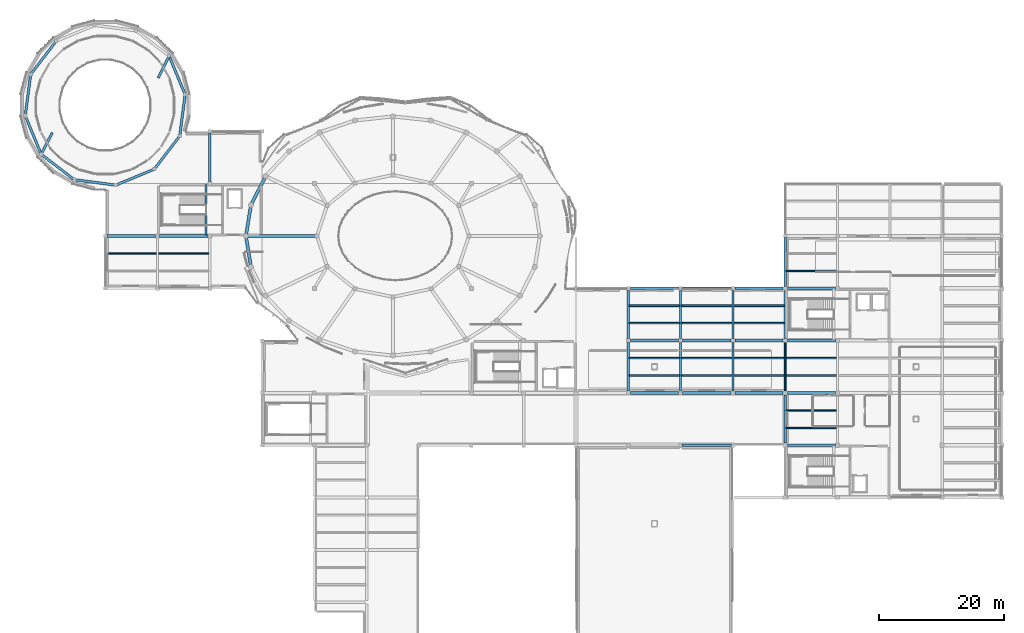
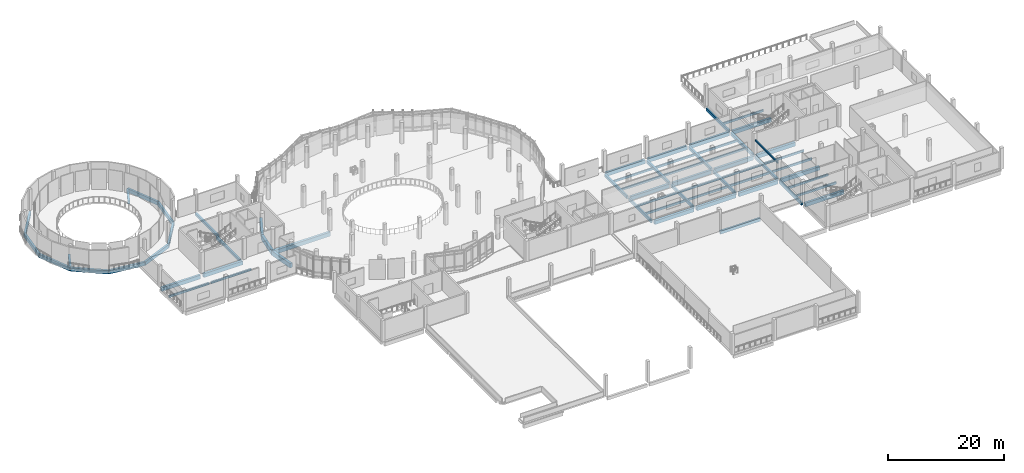
# One storey, part 9 of 46: 63 beams.
"""IFC4 building model written with IfcOpenShell, lengths in metres."""

import ifcopenshell
import ifcopenshell.guid

model = None  # the IFC model being written
_history = None  # IfcOwnerHistory: only IFC2X3 demands one
_inside = {}  # id of a spatial element -> (the spatial element, [elements in it])
_under = {}  # id of a project, library or spatial element -> (it, [spatial elements below it])
_declared = {}  # id of a project -> (the project, [libraries it declares])
_typed = {}  # id of a type object -> (the type object, [elements of that type])
_made_of = {}  # id of a material, layer set ... -> (it, [elements and type objects made of it])


def new_model(schema):
    """Start an empty IFC model of exactly this schema.

    Asked for "IFC4X3", IfcOpenShell would pick the latest addendum, in which some entities
    have other attributes; the version numbers below select the first issue.
    IFC2X3 requires an IfcOwnerHistory on every rooted entity: one is made here for all.
    """
    global model, _history
    if schema == "IFC4X3":
        model = ifcopenshell.file(schema_version=(4, 3, 0, 0))
    else:
        model = ifcopenshell.file(schema=schema)
    _inside.clear()
    _under.clear()
    _declared.clear()
    _typed.clear()
    _made_of.clear()
    _history = None
    if model.schema == "IFC2X3":
        org = make("IfcOrganization", Name="unknown")
        user = make(
            "IfcPersonAndOrganization",
            ThePerson=make("IfcPerson", FamilyName="unknown"),
            TheOrganization=org,
        )
        app = make(
            "IfcApplication",
            ApplicationDeveloper=org,
            Version="unknown",
            ApplicationFullName="unknown",
            ApplicationIdentifier="unknown",
        )
        _history = make(
            "IfcOwnerHistory",
            OwningUser=user,
            OwningApplication=app,
            ChangeAction="ADDED",
            CreationDate=0,
        )
    return model


def make(cls, **values):
    """One entity of the class cls with the attributes given. An attribute that is None is left unset."""
    return model.create_entity(
        cls, **{name: value for name, value in values.items() if value is not None}
    )


def rooted(cls, **values):
    """An entity with a GlobalId (a new one), such as an element, a storey or a relation."""
    return make(cls, GlobalId=ifcopenshell.guid.new(), OwnerHistory=_history, **values)


def si_unit(unit_type, name, prefix=None):
    """IfcSIUnit, for example si_unit("LENGTHUNIT", "METRE", prefix="MILLI")."""
    return make("IfcSIUnit", UnitType=unit_type, Prefix=prefix, Name=name)


def derived_unit(unit_type, elements):
    """IfcDerivedUnit: a product of units, each with its exponent."""
    return make(
        "IfcDerivedUnit",
        Elements=[
            make("IfcDerivedUnitElement", Unit=unit, Exponent=power)
            for unit, power in elements
        ],
        UnitType=unit_type,
    )


def assignment(units):
    """IfcUnitAssignment: the units of a project."""
    return None if units is None else make("IfcUnitAssignment", Units=units)


def point(xyz):
    """IfcCartesianPoint."""
    return None if xyz is None else make("IfcCartesianPoint", Coordinates=xyz)


def direction(xyz):
    """IfcDirection."""
    return None if xyz is None else make("IfcDirection", DirectionRatios=xyz)


def frame(location, z_axis=None, x_axis=None):
    """IfcAxis2Placement3D, a coordinate frame: its origin and axes. An axis left out is left unset."""
    return make(
        "IfcAxis2Placement3D",
        Location=point(location),
        Axis=direction(z_axis),
        RefDirection=direction(x_axis),
    )


def frame_2d(location, x_axis=None):
    """IfcAxis2Placement2D, a coordinate frame in the plane: its origin and x axis."""
    return make(
        "IfcAxis2Placement2D", Location=point(location), RefDirection=direction(x_axis)
    )


def origin():
    """The frame at (0, 0, 0) with its axes left unset."""
    return frame((0.0, 0.0, 0.0))


def origin_2d():
    """The frame at (0, 0) in the plane with its x axis left unset."""
    return frame_2d((0.0, 0.0))


def place(relative_to, where):
    """IfcLocalPlacement: puts the frame where relative to a parent placement (None: the world)."""
    return make(
        "IfcLocalPlacement", PlacementRelTo=relative_to, RelativePlacement=where
    )


def context(
    kind, dimensions, precision=None, world=None, true_north=None, identifier=None
):
    """IfcGeometricRepresentationContext, for example the 3D "Model" context."""
    return make(
        "IfcGeometricRepresentationContext",
        ContextIdentifier=identifier,
        ContextType=kind,
        CoordinateSpaceDimension=dimensions,
        Precision=precision,
        WorldCoordinateSystem=world,
        TrueNorth=true_north,
    )


def subcontext(parent, identifier, kind, view, scale=None):
    """IfcGeometricRepresentationSubContext, for example "Body" below "Model"."""
    return make(
        "IfcGeometricRepresentationSubContext",
        ContextIdentifier=identifier,
        ContextType=kind,
        ParentContext=parent,
        TargetScale=scale,
        TargetView=view,
    )


def project(units=None, contexts=None):
    """IfcProject with its units and contexts."""
    return rooted(
        "IfcProject",
        Name="project",
        RepresentationContexts=contexts,
        UnitsInContext=assignment(units),
    )


def spatial(cls, under=None, at=None, **own):
    """A site, building, storey or space (cls), placed at a placement, below another one or the project."""
    s = rooted(cls, ObjectPlacement=at, **own)
    if under is not None:
        _under.setdefault(under.id(), (under, []))[1].append(s)
    return s


def profile(cls, at=None, kind="AREA", **sizes):
    """A parametric profile (cls). Its sizes go by their IFC names, for example OverallWidth=200.0."""
    return make(cls, ProfileType=kind, Position=at, **sizes)


def rectangle(**sizes):
    """IfcRectangleProfileDef."""
    return profile("IfcRectangleProfileDef", **sizes)


def extrude(swept, where, along, depth):
    """IfcExtrudedAreaSolid: the profile swept, set in the frame where, extruded along a direction by depth."""
    return make(
        "IfcExtrudedAreaSolid",
        SweptArea=swept,
        Position=where,
        ExtrudedDirection=direction(along),
        Depth=depth,
    )


def shape(context_of_items, identifier, shape_type, items):
    """IfcShapeRepresentation: the items that make up one representation, for example the "Body"."""
    return make(
        "IfcShapeRepresentation",
        ContextOfItems=context_of_items,
        RepresentationIdentifier=identifier,
        RepresentationType=shape_type,
        Items=items,
    )


def material(Name=None, Category=None):
    """IfcMaterial."""
    return make("IfcMaterial", Name=Name, Category=Category)


def material_profile(
    of_material, cross_section, Name=None, Category=None, Priority=None
):
    """IfcMaterialProfile: a cross section and its material."""
    return make(
        "IfcMaterialProfile",
        Name=Name,
        Material=of_material,
        Profile=cross_section,
        Priority=Priority,
        Category=Category,
    )


def profile_set(profiles, Name=None, composite=None):
    """IfcMaterialProfileSet."""
    return make(
        "IfcMaterialProfileSet",
        Name=Name,
        MaterialProfiles=profiles,
        CompositeProfile=composite,
    )


def made_of(thing, what):
    """Note that an element or type object is made of a material, layer set ...; save() writes the relation."""
    if what is not None:
        _made_of.setdefault(what.id(), (what, []))[1].append(thing)
    return thing


def type_object(cls, material=None, **own):
    """A type object (cls), such as IfcWallType, which elements share."""
    return made_of(rooted(cls, **own), material)


def element(
    cls,
    number,
    at=None,
    inside=None,
    cuts=None,
    type_object=None,
    material=None,
    context=None,
    identifier="Body",
    shape_type=None,
    held_by="IfcProductDefinitionShape",
    body=None,
    shapes=None,
    **own,
):
    """One element of the class cls, such as IfcWall. Its Tag is "e" and its number.

    at: its placement. inside: the storey or other place that contains it. cuts: it is an
    opening in that element (IfcRelVoidsElement). A single representation is given by context,
    identifier, shape_type and body (its items); several are given by shapes. held_by: the class
    of the entity that holds the representations. save() writes the other relations.
    """
    e = rooted(cls, Tag="e%d" % number, ObjectPlacement=at, **own)
    if body is not None:
        shapes = [shape(context, identifier, shape_type, body)]
    if shapes is not None:
        e.Representation = make(held_by, Representations=shapes)
    if inside is not None:
        _inside.setdefault(inside.id(), (inside, []))[1].append(e)
    if cuts is not None:
        rooted(
            "IfcRelVoidsElement", RelatingBuildingElement=cuts, RelatedOpeningElement=e
        )
    if type_object is not None:
        _typed.setdefault(type_object.id(), (type_object, []))[1].append(e)
    return made_of(e, material)


def aggregate(whole, parts):
    """IfcRelAggregates: a whole, such as a stair, and the parts it consists of."""
    return rooted("IfcRelAggregates", RelatingObject=whole, RelatedObjects=parts)


def save(model, path):
    """Write the relations noted so far, then the file.

    IfcRelAggregates (storeys below a building ...), IfcRelContainedInSpatialStructure (elements
    in a storey), IfcRelDefinesByType, IfcRelAssociatesMaterial and IfcRelDeclares: one each for
    every whole, place, type object, material and project.
    """
    for whole, parts in _under.values():
        aggregate(whole, parts)
    for where, things in _inside.values():
        rooted(
            "IfcRelContainedInSpatialStructure",
            RelatedElements=things,
            RelatingStructure=where,
        )
    for kind, things in _typed.values():
        rooted("IfcRelDefinesByType", RelatedObjects=things, RelatingType=kind)
    for what, things in _made_of.values():
        rooted("IfcRelAssociatesMaterial", RelatedObjects=things, RelatingMaterial=what)
    for by, libraries in _declared.values():
        rooted("IfcRelDeclares", RelatingContext=by, RelatedDefinitions=libraries)
    model.write(path)


model = new_model("IFC4")

# Units and contexts
model_context = context("Model", 3, precision=1e-05, world=origin(), true_north=direction((0.0, 1.0)))
body_context = subcontext(model_context, "Body", "Model", "MODEL_VIEW")
ifc_project = project(units=[si_unit("LENGTHUNIT", "METRE"), si_unit("AREAUNIT", "SQUARE_METRE"), si_unit("VOLUMEUNIT", "CUBIC_METRE"), si_unit("PLANEANGLEUNIT", "RADIAN"), si_unit("MASSUNIT", "GRAM", prefix="KILO"), derived_unit("THERMALTRANSMITTANCEUNIT", [(si_unit("POWERUNIT", "WATT"), 1), (si_unit("LENGTHUNIT", "METRE"), -2), (si_unit("THERMODYNAMICTEMPERATUREUNIT", "KELVIN"), -1)])], contexts=[model_context])

# Site, building, storey
site_placement = place(None, origin())
site = spatial("IfcSite", under=ifc_project, at=site_placement, CompositionType="ELEMENT")
building_placement = place(site_placement, origin())
building = spatial("IfcBuilding", under=site, at=building_placement, Name="Elbkamm Science Centre", CompositionType="ELEMENT")
storey_placement = place(building_placement, frame((0.0, 0.0, 9.89990234375)))
storey = spatial("IfcBuildingStorey", under=building, at=storey_placement, Name="L02", CompositionType="ELEMENT", Elevation=9.89990234375)

# Beams
ifc_material = material(Name="Concrete C40/50", Category="concrete")
ifc_material_profile_1 = material_profile(ifc_material, rectangle(XDim=0.35009765625, YDim=0.60009765625, at=origin_2d()), Name="RC 350x600")
ifc_profile_set_1 = profile_set([ifc_material_profile_1], Name="Concrete C40/50")
beam_type_1 = type_object("IfcBeamType", Name="BM-RC-350x600", PredefinedType="BEAM", material=ifc_profile_set_1)
beam_1_placement = place(storey_placement, frame((33.60009765625, 75.925048828125, -0.599853515625), z_axis=(0.0, 1.0, 0.0), x_axis=(-1.0, 0.0, 0.0)))
element("IfcBeam", 1, at=beam_1_placement, inside=storey, type_object=beam_type_1, Name="L02 Primary Y-Girder 004", PredefinedType="BEAM", context=body_context, shape_type="SweptSolid", body=[
    extrude(rectangle(XDim=0.35009765625, YDim=0.60009765625, at=origin_2d()), origin(), (0.0, 0.0, 1.0), 7.800048828125),
])
for number, where, z_axis, x_axis, name in (
    (2, (100.800048828125, 42.324951171875, -0.599853515625), (0.0, 1.0, 0.0), (-1.0, 0.0, 0.0), "L02 Primary Y-Girder 008"),
    (3, (100.800048828125, 50.72509765625, -0.599853515625), (0.0, 1.0, 0.0), (-1.0, 0.0, 0.0), "L02 Primary Y-Girder 009"),
    (4, (109.199951171875, 42.324951171875, -0.599853515625), (0.0, 1.0, 0.0), (-1.0, 0.0, 0.0), "L02 Primary Y-Girder 010"),
    (5, (109.199951171875, 50.72509765625, -0.599853515625), (0.0, 1.0, 0.0), (-1.0, 0.0, 0.0), "L02 Primary Y-Girder 011"),
    (6, (117.60009765625, 42.324951171875, -0.599853515625), (0.0, 1.0, 0.0), (-1.0, 0.0, 0.0), "L02 Primary Y-Girder 014"),
    (7, (117.60009765625, 50.72509765625, -0.599853515625), (0.0, 1.0, 0.0), (-1.0, 0.0, 0.0), "L02 Primary Y-Girder 015"),
    (8, (126.0, 33.925048828125, -0.599853515625), (0.0, 1.0, 0.0), (-1.0, 0.0, 0.0), "L02 Primary Y-Girder 017"),
    (9, (126.0, 42.324951171875, -0.599853515625), (0.0, 1.0, 0.0), (-1.0, 0.0, 0.0), "L02 Primary Y-Girder 018"),
    (10, (126.0, 50.72509765625, -0.599853515625), (0.0, 1.0, 0.0), (-1.0, 0.0, 0.0), "L02 Primary Y-Girder 019"),
):
    element("IfcBeam", number, at=place(storey_placement, frame(where, z_axis=z_axis, x_axis=x_axis)), inside=storey, type_object=beam_type_1, Name=name, PredefinedType="BEAM", context=body_context, shape_type="SweptSolid", body=[
        extrude(rectangle(XDim=0.35009765625, YDim=0.60009765625, at=origin_2d()), origin(), (0.0, 0.0, 1.0), 7.75),
    ])
beam_2_placement = place(storey_placement, frame((126.0, 59.125, -0.599853515625), z_axis=(0.0, 1.0, 0.0), x_axis=(-1.0, 0.0, 0.0)))
element("IfcBeam", 11, at=beam_2_placement, inside=storey, type_object=beam_type_1, Name="L02 Primary Y-Girder 020", PredefinedType="BEAM", context=body_context, shape_type="SweptSolid", body=[
    extrude(rectangle(XDim=0.35009765625, YDim=0.60009765625, at=origin_2d()), origin(), (0.0, 0.0, 1.0), 7.800048828125),
])
beam_3_placement = place(storey_placement, frame((32.97998046875, 67.35009765625, -0.2998046875), z_axis=(0.0, 1.0, 0.0), x_axis=(-1.0, 0.0, 0.0)))
element("IfcBeam", 12, at=beam_3_placement, inside=storey, type_object=beam_type_1, Name="L02 ST-C1 Landing Trimmer Beam", PredefinedType="BEAM", context=body_context, shape_type="SweptSolid", body=[
    extrude(rectangle(XDim=0.35009765625, YDim=0.60009765625, at=origin_2d()), origin(), (0.0, 0.0, 1.0), 8.099853515625),
])
ifc_material_profile_2 = material_profile(ifc_material, rectangle(XDim=0.39990234375, YDim=0.64990234375, at=origin_2d()), Name="RC 400x650")
ifc_profile_set_2 = profile_set([ifc_material_profile_2], Name="Concrete C40/50")
beam_type_2 = type_object("IfcBeamType", Name="BM-RC-400x650", PredefinedType="BEAM", material=ifc_profile_set_2)
beam_4_placement = place(storey_placement, frame((109.419921875, 33.60009765625, -0.625), z_axis=(1.0, 0.0, 0.0), x_axis=(0.0, 1.0, 0.0)))
element("IfcBeam", 13, at=beam_4_placement, inside=storey, type_object=beam_type_2, Name="L02 Perimeter Ring Tie Girder 040", PredefinedType="BEAM", context=body_context, shape_type="SweptSolid", body=[
    extrude(rectangle(XDim=0.39990234375, YDim=0.64990234375, at=origin_2d()), origin(), (0.0, 0.0, 1.0), 7.9599609375),
])
beam_5_placement = place(storey_placement, frame((8.30029296875, 83.803955078125, -0.625), z_axis=(-0.453523589744, -0.891244272658, 0.0), x_axis=(0.891244272658, -0.453523589744, 0.0)))
element("IfcBeam", 14, at=beam_5_placement, inside=storey, type_object=beam_type_2, Name="L02 Perimeter Ring Tie Girder 041", PredefinedType="BEAM", context=body_context, shape_type="SweptSolid", body=[
    extrude(rectangle(XDim=0.39990234375, YDim=0.64990234375, at=origin_2d()), origin(), (0.0, 0.0, 1.0), 3.6923828125),
])
beam_6_placement = place(storey_placement, frame((25.2998046875, 92.59619140625, -0.625), z_axis=(0.45347106643, 0.891270998019, 0.0), x_axis=(-0.891270998019, 0.45347106643, 0.0)))
element("IfcBeam", 15, at=beam_6_placement, inside=storey, type_object=beam_type_2, Name="L02 Perimeter Ring Tie Girder 042", PredefinedType="BEAM", context=body_context, shape_type="SweptSolid", body=[
    extrude(rectangle(XDim=0.39990234375, YDim=0.64990234375, at=origin_2d()), origin(), (0.0, 0.0, 1.0), 3.692138671875),
])
ifc_material_profile_3 = material_profile(ifc_material, rectangle(XDim=0.39990234375, YDim=0.75, at=origin_2d()), Name="RC 400x750")
ifc_profile_set_3 = profile_set([ifc_material_profile_3], Name="Concrete C40/50")
beam_type_3 = type_object("IfcBeamType", Name="BM-RC-400x750", PredefinedType="BEAM", material=ifc_profile_set_3)
beam_7_placement = place(storey_placement, frame((29.638916015625, 89.889892578125, -0.6748046875), z_axis=(-0.382641294893, 0.923896985298, 0.0), x_axis=(-0.923896985298, -0.382641294893, 0.0)))
element("IfcBeam", 16, at=beam_7_placement, inside=storey, type_object=beam_type_3, Name="L02 Planetarium Drum Ring Spandrel 01", PredefinedType="SPANDREL", context=body_context, shape_type="SweptSolid", body=[
    extrude(rectangle(XDim=0.39990234375, YDim=0.75, at=origin_2d()), origin(), (0.0, 0.0, 1.0), 6.703369140625),
])
beam_8_placement = place(storey_placement, frame((8.9169921875, 98.47412109375, -0.6748046875), z_axis=(-0.60879160017, -0.793330188233, 0.0), x_axis=(0.793330188233, -0.60879160017, 0.0)))
element("IfcBeam", 17, at=beam_8_placement, inside=storey, type_object=beam_type_3, Name="L02 Planetarium Drum Ring Spandrel 05", PredefinedType="SPANDREL", context=body_context, shape_type="SweptSolid", body=[
    extrude(rectangle(XDim=0.39990234375, YDim=0.75, at=origin_2d()), origin(), (0.0, 0.0, 1.0), 6.70361328125),
])
for number, where, z_axis, x_axis, name in (
    (18, (4.8359375, 93.156005859375, -0.6748046875), (-0.13053176669, -0.991444127465, 0.0), (0.991444127465, -0.13053176669, 0.0), "L02 Planetarium Drum Ring Spandrel 06"),
    (19, (3.9609375, 86.510009765625, -0.6748046875), (0.382641294893, -0.923896985298, 0.0), (0.923896985298, 0.382641294893, 0.0), "L02 Planetarium Drum Ring Spandrel 07"),
    (20, (6.52587890625, 80.31689453125, -0.6748046875), (0.793347778012, -0.608768677844, 0.0), (0.608768677844, 0.793347778012, 0.0), "L02 Planetarium Drum Ring Spandrel 08"),
    (21, (11.843994140625, 76.236083984375, -0.6748046875), (0.991444127465, -0.13053176669, 0.0), (0.13053176669, 0.991444127465, 0.0), "L02 Planetarium Drum Ring Spandrel 09"),
    (22, (18.489990234375, 75.361083984375, -0.6748046875), (0.923896985298, 0.382641294893, 0.0), (-0.382641294893, 0.923896985298, 0.0), "L02 Planetarium Drum Ring Spandrel 10"),
):
    element("IfcBeam", number, at=place(storey_placement, frame(where, z_axis=z_axis, x_axis=x_axis)), inside=storey, type_object=beam_type_3, Name=name, PredefinedType="SPANDREL", context=body_context, shape_type="SweptSolid", body=[
        extrude(rectangle(XDim=0.39990234375, YDim=0.75, at=origin_2d()), origin(), (0.0, 0.0, 1.0), 6.703369140625),
    ])
beam_9_placement = place(storey_placement, frame((24.68310546875, 77.926025390625, -0.6748046875), z_axis=(0.60878626804, 0.793334280015, 0.0), x_axis=(-0.793334280015, 0.60878626804, 0.0)))
element("IfcBeam", 23, at=beam_9_placement, inside=storey, type_object=beam_type_3, Name="L02 Planetarium Drum Ring Spandrel 11", PredefinedType="SPANDREL", context=body_context, shape_type="SweptSolid", body=[
    extrude(rectangle(XDim=0.39990234375, YDim=0.75, at=origin_2d()), origin(), (0.0, 0.0, 1.0), 6.703125),
])
beam_10_placement = place(storey_placement, frame((28.763916015625, 83.243896484375, -0.6748046875), z_axis=(0.13053176669, 0.991444127465, 0.0), x_axis=(-0.991444127465, 0.13053176669, 0.0)))
element("IfcBeam", 24, at=beam_10_placement, inside=storey, type_object=beam_type_3, Name="L02 Planetarium Drum Ring Spandrel 12", PredefinedType="SPANDREL", context=body_context, shape_type="SweptSolid", body=[
    extrude(rectangle(XDim=0.39990234375, YDim=0.75, at=origin_2d()), origin(), (0.0, 0.0, 1.0), 6.703369140625),
])
ifc_material_profile_4 = material_profile(ifc_material, rectangle(XDim=0.449951171875, YDim=0.800048828125, at=origin_2d()), Name="RC 450x800")
ifc_profile_set_4 = profile_set([ifc_material_profile_4], Name="Concrete C40/50")
beam_type_4 = type_object("IfcBeamType", Name="BM-RC-450x800", PredefinedType="BEAM", material=ifc_profile_set_4)
for number, where, z_axis, x_axis, name in (
    (25, (126.324951171875, 33.60009765625, -0.699951171875), (1.0, 0.0, 0.0), (0.0, 1.0, 0.0), "L02 Primary X-Girder 008"),
    (26, (101.125, 42.0, -0.699951171875), (1.0, 0.0, 0.0), (0.0, 1.0, 0.0), "L02 Primary X-Girder 014"),
    (27, (109.52490234375, 42.0, -0.699951171875), (1.0, 0.0, 0.0), (0.0, 1.0, 0.0), "L02 Primary X-Girder 015"),
    (28, (117.925048828125, 42.0, -0.699951171875), (1.0, 0.0, 0.0), (0.0, 1.0, 0.0), "L02 Primary X-Girder 016"),
    (29, (126.324951171875, 42.0, -0.699951171875), (1.0, 0.0, 0.0), (0.0, 1.0, 0.0), "L02 Primary X-Girder 017"),
    (30, (101.125, 50.39990234375, -0.699951171875), (1.0, 0.0, 0.0), (0.0, 1.0, 0.0), "L02 Primary X-Girder 021"),
    (31, (109.52490234375, 50.39990234375, -0.699951171875), (1.0, 0.0, 0.0), (0.0, 1.0, 0.0), "L02 Primary X-Girder 022"),
    (32, (117.925048828125, 50.39990234375, -0.699951171875), (1.0, 0.0, 0.0), (0.0, 1.0, 0.0), "L02 Primary X-Girder 023"),
    (33, (126.324951171875, 50.39990234375, -0.699951171875), (1.0, 0.0, 0.0), (0.0, 1.0, 0.0), "L02 Primary X-Girder 024"),
    (34, (101.125, 58.800048828125, -0.699951171875), (1.0, 0.0, 0.0), (0.0, 1.0, 0.0), "L02 Primary X-Girder 031"),
    (35, (109.52490234375, 58.800048828125, -0.699951171875), (1.0, 0.0, 0.0), (0.0, 1.0, 0.0), "L02 Primary X-Girder 032"),
    (36, (117.925048828125, 58.800048828125, -0.699951171875), (1.0, 0.0, 0.0), (0.0, 1.0, 0.0), "L02 Primary X-Girder 033"),
    (37, (126.324951171875, 58.800048828125, -0.699951171875), (1.0, 0.0, 0.0), (0.0, 1.0, 0.0), "L02 Primary X-Girder 034"),
):
    element("IfcBeam", number, at=place(storey_placement, frame(where, z_axis=z_axis, x_axis=x_axis)), inside=storey, type_object=beam_type_4, Name=name, PredefinedType="BEAM", context=body_context, shape_type="SweptSolid", body=[
        extrude(rectangle(XDim=0.449951171875, YDim=0.800048828125, at=origin_2d()), origin(), (0.0, 0.0, 1.0), 7.75),
    ])
beam_11_placement = place(storey_placement, frame((17.074951171875, 67.199951171875, -0.699951171875), z_axis=(1.0, 0.0, 0.0), x_axis=(0.0, 1.0, 0.0)))
element("IfcBeam", 38, at=beam_11_placement, inside=storey, type_object=beam_type_4, Name="L02 Primary X-Girder 036", PredefinedType="BEAM", context=body_context, shape_type="SweptSolid", body=[
    extrude(rectangle(XDim=0.449951171875, YDim=0.800048828125, at=origin_2d()), origin(), (0.0, 0.0, 1.0), 7.800048828125),
])
beam_12_placement = place(storey_placement, frame((25.52490234375, 67.199951171875, -0.699951171875), z_axis=(1.0, 0.0, 0.0), x_axis=(0.0, 1.0, 0.0)))
element("IfcBeam", 39, at=beam_12_placement, inside=storey, type_object=beam_type_4, Name="L02 Primary X-Girder 037", PredefinedType="BEAM", context=body_context, shape_type="SweptSolid", body=[
    extrude(rectangle(XDim=0.449951171875, YDim=0.800048828125, at=origin_2d()), origin(), (0.0, 0.0, 1.0), 7.75),
])
ifc_material_profile_5 = material_profile(ifc_material, rectangle(XDim=0.5, YDim=0.85009765625, at=origin_2d()), Name="RC 500x850")
ifc_profile_set_5 = profile_set([ifc_material_profile_5], Name="Concrete C40/50")
beam_type_5 = type_object("IfcBeamType", Name="BM-RC-500x850", PredefinedType="BEAM", material=ifc_profile_set_5)
beam_13_placement = place(storey_placement, frame((50.800048828125, 67.199951171875, -0.724853515625), z_axis=(-1.0, 0.0, 0.0), x_axis=(0.0, -1.0, 0.0)))
element("IfcBeam", 40, at=beam_13_placement, inside=storey, type_object=beam_type_5, Name="L02 Elliptical Radial Girder 07", PredefinedType="BEAM", context=body_context, shape_type="SweptSolid", body=[
    extrude(rectangle(XDim=0.5, YDim=0.85009765625, at=origin_2d()), origin(), (0.0, 0.0, 1.0), 11.400146484375),
])
ifc_material_profile_6 = material_profile(ifc_material, rectangle(XDim=0.5, YDim=0.949951171875, at=origin_2d()), Name="RC 500x950")
ifc_profile_set_6 = profile_set([ifc_material_profile_6], Name="Concrete C40/50")
beam_type_6 = type_object("IfcBeamType", Name="BM-RC-500x950", PredefinedType="BEAM", material=ifc_profile_set_6)
beam_14_placement = place(storey_placement, frame((42.56201171875, 76.800048828125, -0.77490234375), z_axis=(-0.453722384609, -0.891143084866, 0.0), x_axis=(0.891143084866, -0.453722384609, 0.0)))
element("IfcBeam", 41, at=beam_14_placement, inside=storey, type_object=beam_type_6, Name="L02 Elliptical Shell Perimeter Ring Beam 11", PredefinedType="SPANDREL", context=body_context, shape_type="SweptSolid", body=[
    extrude(rectangle(XDim=0.5, YDim=0.949951171875, at=origin_2d()), origin(), (0.0, 0.0, 1.0), 5.19677734375),
])
for number, where, z_axis, x_axis, name in (
    (42, (40.2041015625, 72.1689453125, -0.77490234375), (-0.15976460627, -0.987155140078, 0.0), (0.987155140078, -0.15976460627, 0.0), "L02 Elliptical Shell Perimeter Ring Beam 12"),
    (43, (39.39990234375, 67.199951171875, -0.77490234375), (0.15976460627, -0.987155140078, 0.0), (0.987155140078, 0.15976460627, 0.0), "L02 Elliptical Shell Perimeter Ring Beam 13"),
):
    element("IfcBeam", number, at=place(storey_placement, frame(where, z_axis=z_axis, x_axis=x_axis)), inside=storey, type_object=beam_type_6, Name=name, PredefinedType="SPANDREL", context=body_context, shape_type="SweptSolid", body=[
        extrude(rectangle(XDim=0.5, YDim=0.949951171875, at=origin_2d()), origin(), (0.0, 0.0, 1.0), 5.03369140625),
    ])
ifc_material_profile_7 = material_profile(ifc_material, rectangle(XDim=0.25, YDim=0.449951171875, at=origin_2d()), Name="RC 250x450")
ifc_profile_set_7 = profile_set([ifc_material_profile_7], Name="Concrete C40/50")
beam_type_7 = type_object("IfcBeamType", Name="JST-RC-250x450", PredefinedType="JOIST", material=ifc_profile_set_7)
for number, where, z_axis, x_axis, name in (
    (44, (16.97998046875, 64.39990234375, -0.52490234375), (1.0, 0.0, 0.0), (0.0, 1.0, 0.0), "L02 Secondary Floor Joist 002"),
    (45, (25.3798828125, 64.39990234375, -0.52490234375), (1.0, 0.0, 0.0), (0.0, 1.0, 0.0), "L02 Secondary Floor Joist 004"),
    (46, (100.97998046875, 44.800048828125, -0.52490234375), (1.0, 0.0, 0.0), (0.0, 1.0, 0.0), "L02 Secondary Floor Joist 005"),
    (47, (100.97998046875, 47.60009765625, -0.52490234375), (1.0, 0.0, 0.0), (0.0, 1.0, 0.0), "L02 Secondary Floor Joist 006"),
    (48, (100.97998046875, 53.199951171875, -0.52490234375), (1.0, 0.0, 0.0), (0.0, 1.0, 0.0), "L02 Secondary Floor Joist 007"),
    (49, (100.97998046875, 56.0, -0.52490234375), (1.0, 0.0, 0.0), (0.0, 1.0, 0.0), "L02 Secondary Floor Joist 008"),
    (50, (109.3798828125, 44.800048828125, -0.52490234375), (1.0, 0.0, 0.0), (0.0, 1.0, 0.0), "L02 Secondary Floor Joist 009"),
    (51, (109.3798828125, 47.60009765625, -0.52490234375), (1.0, 0.0, 0.0), (0.0, 1.0, 0.0), "L02 Secondary Floor Joist 010"),
    (52, (109.3798828125, 53.199951171875, -0.52490234375), (1.0, 0.0, 0.0), (0.0, 1.0, 0.0), "L02 Secondary Floor Joist 011"),
    (53, (109.3798828125, 56.0, -0.52490234375), (1.0, 0.0, 0.0), (0.0, 1.0, 0.0), "L02 Secondary Floor Joist 012"),
    (54, (117.780029296875, 44.800048828125, -0.52490234375), (1.0, 0.0, 0.0), (0.0, 1.0, 0.0), "L02 Secondary Floor Joist 013"),
    (55, (117.780029296875, 47.60009765625, -0.52490234375), (1.0, 0.0, 0.0), (0.0, 1.0, 0.0), "L02 Secondary Floor Joist 014"),
    (56, (117.780029296875, 53.199951171875, -0.52490234375), (1.0, 0.0, 0.0), (0.0, 1.0, 0.0), "L02 Secondary Floor Joist 015"),
    (57, (117.780029296875, 56.0, -0.52490234375), (1.0, 0.0, 0.0), (0.0, 1.0, 0.0), "L02 Secondary Floor Joist 016"),
    (58, (126.179931640625, 36.39990234375, -0.52490234375), (1.0, 0.0, 0.0), (0.0, 1.0, 0.0), "L02 Secondary Floor Joist 017"),
    (59, (126.179931640625, 39.199951171875, -0.52490234375), (1.0, 0.0, 0.0), (0.0, 1.0, 0.0), "L02 Secondary Floor Joist 018"),
    (60, (126.179931640625, 44.800048828125, -0.52490234375), (1.0, 0.0, 0.0), (0.0, 1.0, 0.0), "L02 Secondary Floor Joist 019"),
    (61, (126.179931640625, 47.60009765625, -0.52490234375), (1.0, 0.0, 0.0), (0.0, 1.0, 0.0), "L02 Secondary Floor Joist 020"),
    (62, (126.179931640625, 61.60009765625, -0.52490234375), (1.0, 0.0, 0.0), (0.0, 1.0, 0.0), "L02 Secondary Floor Joist 021"),
):
    element("IfcBeam", number, at=place(storey_placement, frame(where, z_axis=z_axis, x_axis=x_axis)), inside=storey, type_object=beam_type_7, Name=name, PredefinedType="JOIST", context=body_context, shape_type="SweptSolid", body=[
        extrude(rectangle(XDim=0.25, YDim=0.449951171875, at=origin_2d()), origin(), (0.0, 0.0, 1.0), 8.0400390625),
    ])
ifc_material_profile_8 = material_profile(ifc_material, rectangle(XDim=0.199951171875, YDim=0.300048828125, at=origin_2d()), Name="RC 200x300")
ifc_profile_set_8 = profile_set([ifc_material_profile_8], Name="Concrete C40/50")
beam_type_8 = type_object("IfcBeamType", Name="LIN-RC-200x300", PredefinedType="LINTEL", material=ifc_profile_set_8)
beam_15_placement = place(storey_placement, frame((126.0, 42.25, 3.0), z_axis=(0.0, 1.0, 0.0), x_axis=(-1.0, 0.0, 0.0)))
element("IfcBeam", 63, at=beam_15_placement, inside=storey, type_object=beam_type_8, Name="L02 Opening Lintel 07", PredefinedType="LINTEL", context=body_context, shape_type="SweptSolid", body=[
    extrude(rectangle(XDim=0.199951171875, YDim=0.300048828125, at=origin_2d()), origin(), (0.0, 0.0, 1.0), 7.89990234375),
])

save(model, "model.ifc")
